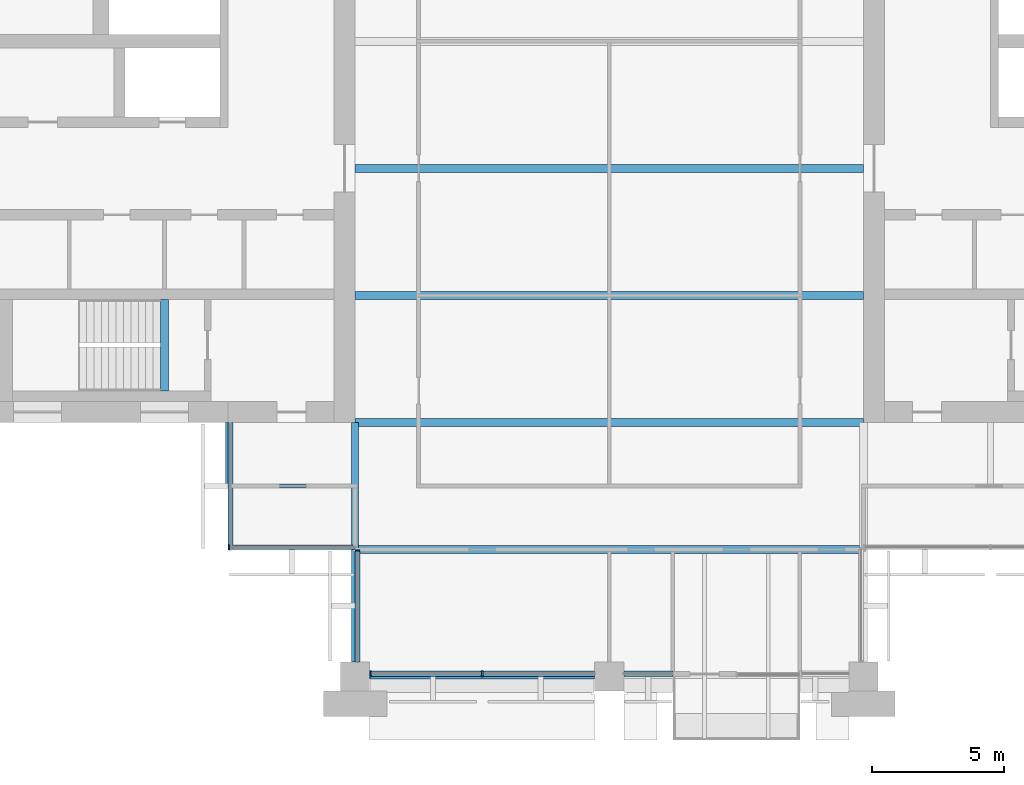
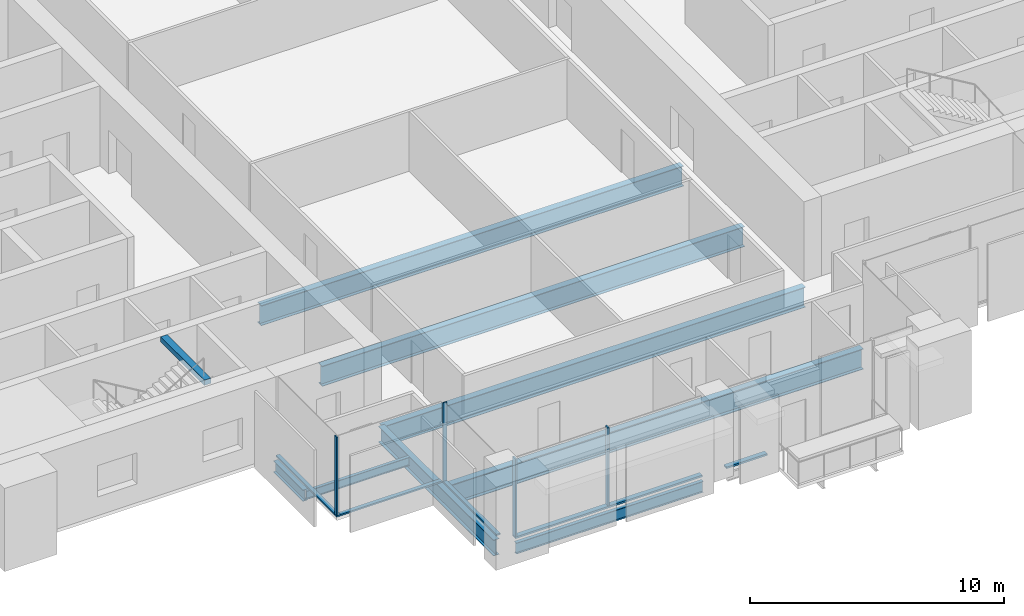
# One storey, part 2 of 14: 9 beams, 9 members, 4 elements without a shape of their own.
"""IFC4 building model written with IfcOpenShell, lengths in metres."""

import ifcopenshell
import ifcopenshell.guid

model = None  # the IFC model being written
_history = None  # IfcOwnerHistory: only IFC2X3 demands one
_inside = {}  # id of a spatial element -> (the spatial element, [elements in it])
_under = {}  # id of a project, library or spatial element -> (it, [spatial elements below it])
_declared = {}  # id of a project -> (the project, [libraries it declares])
_typed = {}  # id of a type object -> (the type object, [elements of that type])
_made_of = {}  # id of a material, layer set ... -> (it, [elements and type objects made of it])


def new_model(schema):
    """Start an empty IFC model of exactly this schema.

    Asked for "IFC4X3", IfcOpenShell would pick the latest addendum, in which some entities
    have other attributes; the version numbers below select the first issue.
    IFC2X3 requires an IfcOwnerHistory on every rooted entity: one is made here for all.
    """
    global model, _history
    if schema == "IFC4X3":
        model = ifcopenshell.file(schema_version=(4, 3, 0, 0))
    else:
        model = ifcopenshell.file(schema=schema)
    _inside.clear()
    _under.clear()
    _declared.clear()
    _typed.clear()
    _made_of.clear()
    _history = None
    if model.schema == "IFC2X3":
        org = make("IfcOrganization", Name="unknown")
        user = make(
            "IfcPersonAndOrganization",
            ThePerson=make("IfcPerson", FamilyName="unknown"),
            TheOrganization=org,
        )
        app = make(
            "IfcApplication",
            ApplicationDeveloper=org,
            Version="unknown",
            ApplicationFullName="unknown",
            ApplicationIdentifier="unknown",
        )
        _history = make(
            "IfcOwnerHistory",
            OwningUser=user,
            OwningApplication=app,
            ChangeAction="ADDED",
            CreationDate=0,
        )
    return model


def make(cls, **values):
    """One entity of the class cls with the attributes given. An attribute that is None is left unset."""
    return model.create_entity(
        cls, **{name: value for name, value in values.items() if value is not None}
    )


def rooted(cls, **values):
    """An entity with a GlobalId (a new one), such as an element, a storey or a relation."""
    return make(cls, GlobalId=ifcopenshell.guid.new(), OwnerHistory=_history, **values)


def si_unit(unit_type, name, prefix=None):
    """IfcSIUnit, for example si_unit("LENGTHUNIT", "METRE", prefix="MILLI")."""
    return make("IfcSIUnit", UnitType=unit_type, Prefix=prefix, Name=name)


def assignment(units):
    """IfcUnitAssignment: the units of a project."""
    return None if units is None else make("IfcUnitAssignment", Units=units)


def point(xyz):
    """IfcCartesianPoint."""
    return None if xyz is None else make("IfcCartesianPoint", Coordinates=xyz)


def direction(xyz):
    """IfcDirection."""
    return None if xyz is None else make("IfcDirection", DirectionRatios=xyz)


def frame(location, z_axis=None, x_axis=None):
    """IfcAxis2Placement3D, a coordinate frame: its origin and axes. An axis left out is left unset."""
    return make(
        "IfcAxis2Placement3D",
        Location=point(location),
        Axis=direction(z_axis),
        RefDirection=direction(x_axis),
    )


def frame_2d(location, x_axis=None):
    """IfcAxis2Placement2D, a coordinate frame in the plane: its origin and x axis."""
    return make(
        "IfcAxis2Placement2D", Location=point(location), RefDirection=direction(x_axis)
    )


def origin():
    """The frame at (0, 0, 0) with its axes left unset."""
    return frame((0.0, 0.0, 0.0))


def origin_2d():
    """The frame at (0, 0) in the plane with its x axis left unset."""
    return frame_2d((0.0, 0.0))


def place(relative_to, where):
    """IfcLocalPlacement: puts the frame where relative to a parent placement (None: the world)."""
    return make(
        "IfcLocalPlacement", PlacementRelTo=relative_to, RelativePlacement=where
    )


def context(
    kind, dimensions, precision=None, world=None, true_north=None, identifier=None
):
    """IfcGeometricRepresentationContext, for example the 3D "Model" context."""
    return make(
        "IfcGeometricRepresentationContext",
        ContextIdentifier=identifier,
        ContextType=kind,
        CoordinateSpaceDimension=dimensions,
        Precision=precision,
        WorldCoordinateSystem=world,
        TrueNorth=true_north,
    )


def subcontext(parent, identifier, kind, view, scale=None):
    """IfcGeometricRepresentationSubContext, for example "Body" below "Model"."""
    return make(
        "IfcGeometricRepresentationSubContext",
        ContextIdentifier=identifier,
        ContextType=kind,
        ParentContext=parent,
        TargetScale=scale,
        TargetView=view,
    )


def project(units=None, contexts=None):
    """IfcProject with its units and contexts."""
    return rooted(
        "IfcProject",
        Name="project",
        RepresentationContexts=contexts,
        UnitsInContext=assignment(units),
    )


def spatial(cls, under=None, at=None, **own):
    """A site, building, storey or space (cls), placed at a placement, below another one or the project."""
    s = rooted(cls, ObjectPlacement=at, **own)
    if under is not None:
        _under.setdefault(under.id(), (under, []))[1].append(s)
    return s


def profile(cls, at=None, kind="AREA", **sizes):
    """A parametric profile (cls). Its sizes go by their IFC names, for example OverallWidth=200.0."""
    return make(cls, ProfileType=kind, Position=at, **sizes)


def rectangle(**sizes):
    """IfcRectangleProfileDef."""
    return profile("IfcRectangleProfileDef", **sizes)


def i_section(**sizes):
    """IfcIShapeProfileDef."""
    return profile("IfcIShapeProfileDef", **sizes)


def extrude(swept, where, along, depth):
    """IfcExtrudedAreaSolid: the profile swept, set in the frame where, extruded along a direction by depth."""
    return make(
        "IfcExtrudedAreaSolid",
        SweptArea=swept,
        Position=where,
        ExtrudedDirection=direction(along),
        Depth=depth,
    )


def shape(context_of_items, identifier, shape_type, items):
    """IfcShapeRepresentation: the items that make up one representation, for example the "Body"."""
    return make(
        "IfcShapeRepresentation",
        ContextOfItems=context_of_items,
        RepresentationIdentifier=identifier,
        RepresentationType=shape_type,
        Items=items,
    )


def material(Name=None, Category=None):
    """IfcMaterial."""
    return make("IfcMaterial", Name=Name, Category=Category)


def material_profile(
    of_material, cross_section, Name=None, Category=None, Priority=None
):
    """IfcMaterialProfile: a cross section and its material."""
    return make(
        "IfcMaterialProfile",
        Name=Name,
        Material=of_material,
        Profile=cross_section,
        Priority=Priority,
        Category=Category,
    )


def profile_set(profiles, Name=None, composite=None):
    """IfcMaterialProfileSet."""
    return make(
        "IfcMaterialProfileSet",
        Name=Name,
        MaterialProfiles=profiles,
        CompositeProfile=composite,
    )


def made_of(thing, what):
    """Note that an element or type object is made of a material, layer set ...; save() writes the relation."""
    if what is not None:
        _made_of.setdefault(what.id(), (what, []))[1].append(thing)
    return thing


def type_object(cls, material=None, **own):
    """A type object (cls), such as IfcWallType, which elements share."""
    return made_of(rooted(cls, **own), material)


def element(
    cls,
    number,
    at=None,
    inside=None,
    cuts=None,
    type_object=None,
    material=None,
    context=None,
    identifier="Body",
    shape_type=None,
    held_by="IfcProductDefinitionShape",
    body=None,
    shapes=None,
    **own,
):
    """One element of the class cls, such as IfcWall. Its Tag is "e" and its number.

    at: its placement. inside: the storey or other place that contains it. cuts: it is an
    opening in that element (IfcRelVoidsElement). A single representation is given by context,
    identifier, shape_type and body (its items); several are given by shapes. held_by: the class
    of the entity that holds the representations. save() writes the other relations.
    """
    e = rooted(cls, Tag="e%d" % number, ObjectPlacement=at, **own)
    if body is not None:
        shapes = [shape(context, identifier, shape_type, body)]
    if shapes is not None:
        e.Representation = make(held_by, Representations=shapes)
    if inside is not None:
        _inside.setdefault(inside.id(), (inside, []))[1].append(e)
    if cuts is not None:
        rooted(
            "IfcRelVoidsElement", RelatingBuildingElement=cuts, RelatedOpeningElement=e
        )
    if type_object is not None:
        _typed.setdefault(type_object.id(), (type_object, []))[1].append(e)
    return made_of(e, material)


def aggregate(whole, parts):
    """IfcRelAggregates: a whole, such as a stair, and the parts it consists of."""
    return rooted("IfcRelAggregates", RelatingObject=whole, RelatedObjects=parts)


def save(model, path):
    """Write the relations noted so far, then the file.

    IfcRelAggregates (storeys below a building ...), IfcRelContainedInSpatialStructure (elements
    in a storey), IfcRelDefinesByType, IfcRelAssociatesMaterial and IfcRelDeclares: one each for
    every whole, place, type object, material and project.
    """
    for whole, parts in _under.values():
        aggregate(whole, parts)
    for where, things in _inside.values():
        rooted(
            "IfcRelContainedInSpatialStructure",
            RelatedElements=things,
            RelatingStructure=where,
        )
    for kind, things in _typed.values():
        rooted("IfcRelDefinesByType", RelatedObjects=things, RelatingType=kind)
    for what, things in _made_of.values():
        rooted("IfcRelAssociatesMaterial", RelatedObjects=things, RelatingMaterial=what)
    for by, libraries in _declared.values():
        rooted("IfcRelDeclares", RelatingContext=by, RelatedDefinitions=libraries)
    model.write(path)


model = new_model("IFC4")

# Units and contexts
model_context = context("Model", 3, precision=1e-05, world=origin(), true_north=direction((0.0, 1.0)))
body_context = subcontext(model_context, "Body", "Model", "MODEL_VIEW")
ifc_project = project(units=[si_unit("LENGTHUNIT", "METRE"), si_unit("AREAUNIT", "SQUARE_METRE"), si_unit("VOLUMEUNIT", "CUBIC_METRE"), si_unit("PLANEANGLEUNIT", "RADIAN"), si_unit("MASSUNIT", "GRAM", prefix="KILO")], contexts=[model_context])

# Site, building, storey
site_placement = place(None, origin())
site = spatial("IfcSite", under=ifc_project, at=site_placement, CompositionType="ELEMENT")
building_placement = place(site_placement, origin())
building = spatial("IfcBuilding", under=site, at=building_placement, Name="Baori Bourse Tower", CompositionType="ELEMENT")
storey_placement = place(building_placement, frame((0.0, 0.0, 221.199951171875)))
storey = spatial("IfcBuildingStorey", under=building, at=storey_placement, Name="L48", CompositionType="ELEMENT", Elevation=221.199951171875)

# Curtain wall, member
ifc_material_1 = material(Name="Pale anodised aluminium", Category="aluminium")
curtain_wall_type_1 = type_object("IfcCurtainWallType", Name="CW2 Curtain wall", PredefinedType="NOTDEFINED", material=ifc_material_1)
curtain_wall_1_placement = place(storey_placement, origin())
curtain_wall_1 = element("IfcCurtainWall", 1, at=curtain_wall_1_placement, inside=storey, type_object=curtain_wall_type_1, Name="Curtain wall CW2 L48 11", PredefinedType="NOTDEFINED")
ifc_material_2 = material(Name="Pale anodised aluminium", Category="aluminium")
ifc_material_profile_1 = material_profile(ifc_material_2, rectangle(XDim=0.179931640625, YDim=0.054931640625, at=origin_2d()), Name="Mullion 55x180")
ifc_profile_set_1 = profile_set([ifc_material_profile_1], Name="Pale anodised aluminium")
member_type_1 = type_object("IfcMemberType", Name="CW2 Curtain wall mullion", PredefinedType="MULLION", material=ifc_profile_set_1)
member_1_placement = place(storey_placement, frame((14.427490234375, 4.889892578125, 0.070068359375), z_axis=(0.0, 0.0, 1.0), x_axis=(0.0, 1.0, 0.0)))
member_1 = element("IfcMember", 2, at=member_1_placement, type_object=member_type_1, Name="Curtain wall CW2 mullion", PredefinedType="MULLION", context=body_context, shape_type="SweptSolid", body=[
    extrude(rectangle(XDim=0.179931640625, YDim=0.054931640625, at=origin_2d()), origin(), (0.0, 0.0, 1.0), 3.77001953125),
])

curtain_wall_2_placement = place(storey_placement, origin())
curtain_wall_2 = element("IfcCurtainWall", 3, at=curtain_wall_2_placement, inside=storey, type_object=curtain_wall_type_1, Name="Curtain wall CW2 L48 12", PredefinedType="NOTDEFINED")
member_2_placement = place(storey_placement, frame((19.2900390625, 4.7724609375, 0.070068359375), z_axis=(0.0, 0.0, 1.0), x_axis=(1.0, 0.0, 0.0)))
member_2 = element("IfcMember", 4, at=member_2_placement, type_object=member_type_1, Name="Curtain wall CW2 mullion", PredefinedType="MULLION", context=body_context, shape_type="SweptSolid", body=[
    extrude(rectangle(XDim=0.179931640625, YDim=0.054931640625, at=origin_2d()), origin(), (0.0, 0.0, 1.0), 3.77001953125),
])

curtain_wall_3_placement = place(storey_placement, origin())
curtain_wall_3 = element("IfcCurtainWall", 5, at=curtain_wall_3_placement, inside=storey, type_object=curtain_wall_type_1, Name="Curtain wall CW2 L48 10", PredefinedType="NOTDEFINED")
ifc_material_3 = material(Name="Pale anodised aluminium", Category="aluminium")
ifc_material_profile_2 = material_profile(ifc_material_3, rectangle(XDim=0.179931640625, YDim=0.070068359375, at=origin_2d()), Name="Transom 70x180")
ifc_profile_set_2 = profile_set([ifc_material_profile_2], Name="Pale anodised aluminium")
member_type_2 = type_object("IfcMemberType", Name="CW2 Curtain wall transom", PredefinedType="USERDEFINED", material=ifc_profile_set_2)
member_3_placement = place(storey_placement, frame((14.489990234375, 9.60009765625, 0.03515625), z_axis=(0.0, -1.0, 0.0), x_axis=(1.0, 0.0, 0.0)))
member_3 = element("IfcMember", 6, at=member_3_placement, type_object=member_type_2, Name="Curtain wall CW2 sill rail", ObjectType="TRANSOM", PredefinedType="USERDEFINED", context=body_context, shape_type="SweptSolid", body=[
    extrude(rectangle(XDim=0.179931640625, YDim=0.070068359375, at=origin_2d()), origin(), (0.0, 0.0, 1.0), 4.800048828125),
])
aggregate(curtain_wall_3, [member_3])

# Member
member_4_placement = place(storey_placement, frame((14.39990234375, 4.889892578125, 0.03515625), z_axis=(1.0, 0.0, 0.0), x_axis=(0.0, 1.0, 0.0)))
member_4 = element("IfcMember", 7, at=member_4_placement, type_object=member_type_2, Name="Curtain wall CW2 sill rail", ObjectType="TRANSOM", PredefinedType="USERDEFINED", context=body_context, shape_type="SweptSolid", body=[
    extrude(rectangle(XDim=0.179931640625, YDim=0.070068359375, at=origin_2d()), origin(), (0.0, 0.0, 1.0), 4.800048828125),
])

aggregate(curtain_wall_1, [member_4, member_1])

member_5_placement = place(storey_placement, frame((19.2900390625, 4.800048828125, 0.03515625), z_axis=(0.0, -1.0, 0.0), x_axis=(1.0, 0.0, 0.0)))
member_5 = element("IfcMember", 8, at=member_5_placement, type_object=member_type_2, Name="Curtain wall CW2 sill rail", ObjectType="TRANSOM", PredefinedType="USERDEFINED", context=body_context, shape_type="SweptSolid", body=[
    extrude(rectangle(XDim=0.179931640625, YDim=0.070068359375, at=origin_2d()), origin(), (0.0, 0.0, 1.0), 4.25),
])

aggregate(curtain_wall_2, [member_5, member_2])

# Curtain wall, members
ifc_material_4 = material(Name="Pale anodised aluminium", Category="aluminium")
curtain_wall_type_2 = type_object("IfcCurtainWallType", Name="CW5 Curtain wall", PredefinedType="NOTDEFINED", material=ifc_material_4)
curtain_wall_4_placement = place(storey_placement, origin())
curtain_wall_4 = element("IfcCurtainWall", 9, at=curtain_wall_4_placement, inside=storey, type_object=curtain_wall_type_2, Name="Curtain wall CW5 L48 13", PredefinedType="NOTDEFINED")
ifc_material_5 = material(Name="Pale anodised aluminium", Category="aluminium")
ifc_material_profile_3 = material_profile(ifc_material_5, rectangle(XDim=0.219970703125, YDim=0.06494140625, at=origin_2d()), Name="Mullion 65x220")
ifc_profile_set_3 = profile_set([ifc_material_profile_3], Name="Pale anodised aluminium")
member_type_3 = type_object("IfcMemberType", Name="CW5 Curtain wall mullion", PredefinedType="MULLION", material=ifc_profile_set_3)
member_6_placement = place(storey_placement, frame((19.782470703125, 0.110107421875, 0.0849609375), z_axis=(0.0, 0.0, 1.0), x_axis=(0.0, 1.0, 0.0)))
member_6 = element("IfcMember", 10, at=member_6_placement, type_object=member_type_3, Name="Curtain wall CW5 mullion", PredefinedType="MULLION", context=body_context, shape_type="SweptSolid", body=[
    extrude(rectangle(XDim=0.219970703125, YDim=0.06494140625, at=origin_2d()), origin(), (0.0, 0.0, 1.0), 3.755126953125),
])
member_7_placement = place(storey_placement, frame((24.0, 0.110107421875, 0.0849609375), z_axis=(0.0, 0.0, 1.0), x_axis=(0.0, 1.0, 0.0)))
member_7 = element("IfcMember", 11, at=member_7_placement, type_object=member_type_3, Name="Curtain wall CW5 mullion", PredefinedType="MULLION", context=body_context, shape_type="SweptSolid", body=[
    extrude(rectangle(XDim=0.219970703125, YDim=0.06494140625, at=origin_2d()), origin(), (0.0, 0.0, 1.0), 3.755126953125),
])
ifc_material_6 = material(Name="Pale anodised aluminium", Category="aluminium")
ifc_material_profile_4 = material_profile(ifc_material_6, rectangle(XDim=0.219970703125, YDim=0.0849609375, at=origin_2d()), Name="Transom 85x220")
ifc_profile_set_4 = profile_set([ifc_material_profile_4], Name="Pale anodised aluminium")
member_type_4 = type_object("IfcMemberType", Name="CW5 Curtain wall transom", PredefinedType="USERDEFINED", material=ifc_profile_set_4)
member_8_placement = place(storey_placement, frame((19.75, 0.110107421875, 0.04248046875), z_axis=(1.0, 0.0, 0.0), x_axis=(0.0, 1.0, 0.0)))
member_8 = element("IfcMember", 12, at=member_8_placement, type_object=member_type_4, Name="Curtain wall CW5 sill rail", ObjectType="TRANSOM", PredefinedType="USERDEFINED", context=body_context, shape_type="SweptSolid", body=[
    extrude(rectangle(XDim=0.219970703125, YDim=0.0849609375, at=origin_2d()), origin(), (0.0, 0.0, 1.0), 8.5),
])
member_9_placement = place(storey_placement, frame((29.35009765625, 0.110107421875, 0.04248046875), z_axis=(1.0, 0.0, 0.0), x_axis=(0.0, 1.0, 0.0)))
member_9 = element("IfcMember", 13, at=member_9_placement, type_object=member_type_4, Name="Curtain wall CW5 sill rail", ObjectType="TRANSOM", PredefinedType="USERDEFINED", context=body_context, shape_type="SweptSolid", body=[
    extrude(rectangle(XDim=0.219970703125, YDim=0.0849609375, at=origin_2d()), origin(), (0.0, 0.0, 1.0), 1.849853515625),
])
aggregate(curtain_wall_4, [member_8, member_6, member_7, member_9])

# Beams
ifc_material_7 = material(Name="Steel A992 Gr 50", Category="steel")
ifc_material_profile_5 = material_profile(ifc_material_7, i_section(OverallWidth=0.21240234375, OverallDepth=0.54345703125, WebThickness=0.01318359375, FlangeThickness=0.021240234375, at=origin_2d()), Name="W21x83")
ifc_profile_set_5 = profile_set([ifc_material_profile_5], Name="Steel A992 Gr 50")
beam_type_1 = type_object("IfcBeamType", Name="Core bracket W21x83", PredefinedType="BEAM", material=ifc_profile_set_5)
beam_1_placement = place(storey_placement, frame((14.39990234375, 7.270263671875, -0.431640625), z_axis=(0.0, 1.0, 0.0), x_axis=(-1.0, 0.0, 0.0)))
element("IfcBeam", 14, at=beam_1_placement, inside=storey, type_object=beam_type_1, Name="Core bracket L48", PredefinedType="BEAM", context=body_context, shape_type="SweptSolid", body=[
    extrude(i_section(OverallWidth=0.21240234375, OverallDepth=0.54345703125, WebThickness=0.01318359375, FlangeThickness=0.021240234375, at=origin_2d()), origin(), (0.0, 0.0, 1.0), 2.329833984375),
])
ifc_material_8 = material(Name="Steel A992 Gr 50", Category="steel")
ifc_material_profile_6 = material_profile(ifc_material_8, i_section(OverallWidth=0.1650390625, OverallDepth=0.52587890625, WebThickness=0.0087890625, FlangeThickness=0.011474609375, at=origin_2d()), Name="W21x44")
ifc_profile_set_6 = profile_set([ifc_material_profile_6], Name="Steel A992 Gr 50")
beam_type_2 = type_object("IfcBeamType", Name="Edge beam W21x44", PredefinedType="BEAM", material=ifc_profile_set_6)
beam_2_placement = place(storey_placement, frame((19.75, 0.0, -0.4228515625), z_axis=(1.0, 0.0, 0.0), x_axis=(0.0, 1.0, 0.0)))
element("IfcBeam", 15, at=beam_2_placement, inside=storey, type_object=beam_type_2, Name="Edge beam L48", PredefinedType="BEAM", context=body_context, shape_type="SweptSolid", body=[
    extrude(i_section(OverallWidth=0.1650390625, OverallDepth=0.52587890625, WebThickness=0.0087890625, FlangeThickness=0.011474609375, at=origin_2d()), origin(), (0.0, 0.0, 1.0), 8.5),
])
ifc_material_9 = material(Name="Steel A992 Gr 50", Category="steel")
ifc_material_profile_7 = material_profile(ifc_material_9, i_section(OverallWidth=0.2998046875, OverallDepth=0.97021484375, WebThickness=0.01611328125, FlangeThickness=0.02099609375, at=origin_2d()), Name="W40x149")
ifc_profile_set_7 = profile_set([ifc_material_profile_7], Name="Steel A992 Gr 50")
beam_type_3 = type_object("IfcBeamType", Name="Floor beam W40x149", PredefinedType="BEAM", material=ifc_profile_set_7)
for number, where, z_axis, x_axis, name in (
    (16, (19.199951171875, 9.60009765625, -0.64501953125), (1.0, 0.0, 0.0), (0.0, 1.0, 0.0), "Floor beam L48"),
    (17, (19.199951171875, 14.39990234375, -0.64501953125), (1.0, 0.0, 0.0), (0.0, 1.0, 0.0), "Floor beam L48"),
    (18, (19.199951171875, 19.199951171875, -0.64501953125), (1.0, 0.0, 0.0), (0.0, 1.0, 0.0), "Floor beam L48"),
):
    element("IfcBeam", number, at=place(storey_placement, frame(where, z_axis=z_axis, x_axis=x_axis)), inside=storey, type_object=beam_type_3, Name=name, PredefinedType="BEAM", context=body_context, shape_type="SweptSolid", body=[
        extrude(i_section(OverallWidth=0.2998046875, OverallDepth=0.97021484375, WebThickness=0.01611328125, FlangeThickness=0.02099609375, at=origin_2d()), origin(), (0.0, 0.0, 1.0), 19.199951171875),
    ])
ifc_material_10 = material(Name="Steel A992 Gr 50", Category="steel")
ifc_material_profile_8 = material_profile(ifc_material_10, i_section(OverallWidth=0.2998046875, OverallDepth=0.990478515625, WebThickness=0.0166015625, FlangeThickness=0.030517578125, at=origin_2d()), Name="W40x183")
ifc_profile_set_8 = profile_set([ifc_material_profile_8], Name="Steel A992 Gr 50")
beam_type_4 = type_object("IfcBeamType", Name="Floor beam W40x183", PredefinedType="BEAM", material=ifc_profile_set_8)
beam_3_placement = place(storey_placement, frame((19.333251953125, 4.800048828125, -0.6552734375), z_axis=(1.0, 0.0, 0.0), x_axis=(0.0, 1.0, 0.0)))
element("IfcBeam", 19, at=beam_3_placement, inside=storey, type_object=beam_type_4, Name="Floor beam L48", PredefinedType="BEAM", context=body_context, shape_type="SweptSolid", body=[
    extrude(i_section(OverallWidth=0.2998046875, OverallDepth=0.990478515625, WebThickness=0.0166015625, FlangeThickness=0.030517578125, at=origin_2d()), origin(), (0.0, 0.0, 1.0), 18.9169921875),
])
ifc_material_11 = material(Name="Steel A992 Gr 50", Category="steel")
ifc_material_profile_9 = material_profile(ifc_material_11, i_section(OverallWidth=0.2666015625, OverallDepth=0.76953125, WebThickness=0.015625, FlangeThickness=0.025390625, at=origin_2d()), Name="W30x132")
ifc_profile_set_9 = profile_set([ifc_material_profile_9], Name="Steel A992 Gr 50")
beam_type_5 = type_object("IfcBeamType", Name="Girder W30x132", PredefinedType="BEAM", material=ifc_profile_set_9)
beam_4_placement = place(storey_placement, frame((19.199951171875, 0.550048828125, -0.544677734375), z_axis=(0.0, 1.0, 0.0), x_axis=(-1.0, 0.0, 0.0)))
element("IfcBeam", 20, at=beam_4_placement, inside=storey, type_object=beam_type_5, Name="Girder L48", PredefinedType="BEAM", context=body_context, shape_type="SweptSolid", body=[
    extrude(i_section(OverallWidth=0.2666015625, OverallDepth=0.76953125, WebThickness=0.015625, FlangeThickness=0.025390625, at=origin_2d()), origin(), (0.0, 0.0, 1.0), 9.050048828125),
])
ifc_material_12 = material(Name="Concrete f'c 50 MPa", Category="concrete")
ifc_material_profile_10 = material_profile(ifc_material_12, rectangle(XDim=0.300048828125, YDim=0.25, at=origin_2d()), Name="RC 300x250")
ifc_profile_set_10 = profile_set([ifc_material_profile_10], Name="Concrete f'c 50 MPa")
beam_type_6 = type_object("IfcBeamType", Name="Stair nib beam RC 300x250", PredefinedType="BEAM", material=ifc_profile_set_10)
beam_5_placement = place(storey_placement, frame((12.0, 10.800048828125, 3.715087890625), z_axis=(0.0, 1.0, 0.0), x_axis=(-1.0, 0.0, 0.0)))
element("IfcBeam", 21, at=beam_5_placement, inside=storey, type_object=beam_type_6, Name="Stair WA nib beam L49", PredefinedType="BEAM", context=body_context, shape_type="SweptSolid", body=[
    extrude(rectangle(XDim=0.300048828125, YDim=0.25, at=origin_2d()), origin(), (0.0, 0.0, 1.0), 3.449951171875),
])
ifc_material_13 = material(Name="Steel A992 Gr 50", Category="steel")
ifc_material_profile_11 = material_profile(ifc_material_13, i_section(OverallWidth=0.140380859375, OverallDepth=0.40380859375, WebThickness=0.007080078125, FlangeThickness=0.01123046875, at=origin_2d()), Name="W16x31")
ifc_profile_set_11 = profile_set([ifc_material_profile_11], Name="Steel A992 Gr 50")
beam_type_7 = type_object("IfcBeamType", Name="Trimmer beam W16x31", PredefinedType="BEAM", material=ifc_profile_set_11)
beam_6_placement = place(storey_placement, frame((14.39990234375, 7.199951171875, -0.36181640625), z_axis=(1.0, 0.0, 0.0), x_axis=(0.0, 1.0, 0.0)))
element("IfcBeam", 22, at=beam_6_placement, inside=storey, type_object=beam_type_7, Name="Trimmer beam L48", PredefinedType="BEAM", context=body_context, shape_type="SweptSolid", body=[
    extrude(i_section(OverallWidth=0.140380859375, OverallDepth=0.40380859375, WebThickness=0.007080078125, FlangeThickness=0.01123046875, at=origin_2d()), origin(), (0.0, 0.0, 1.0), 4.666748046875),
])

save(model, "model.ifc")
